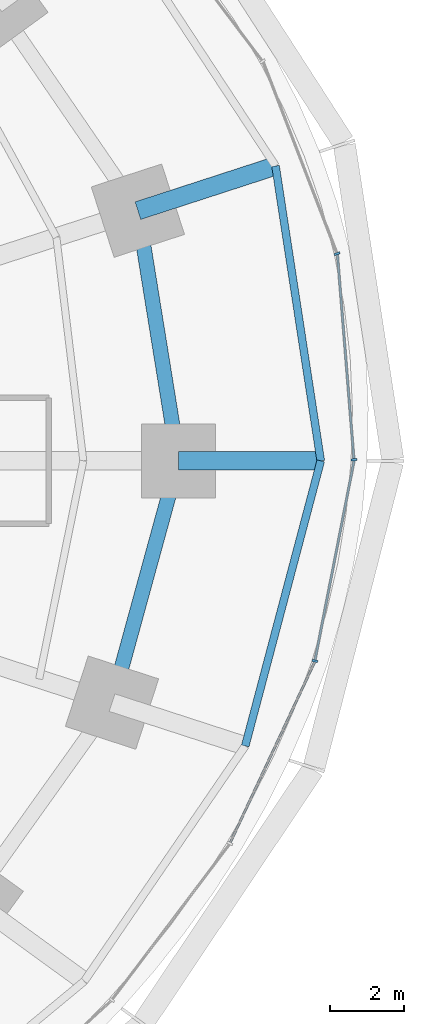
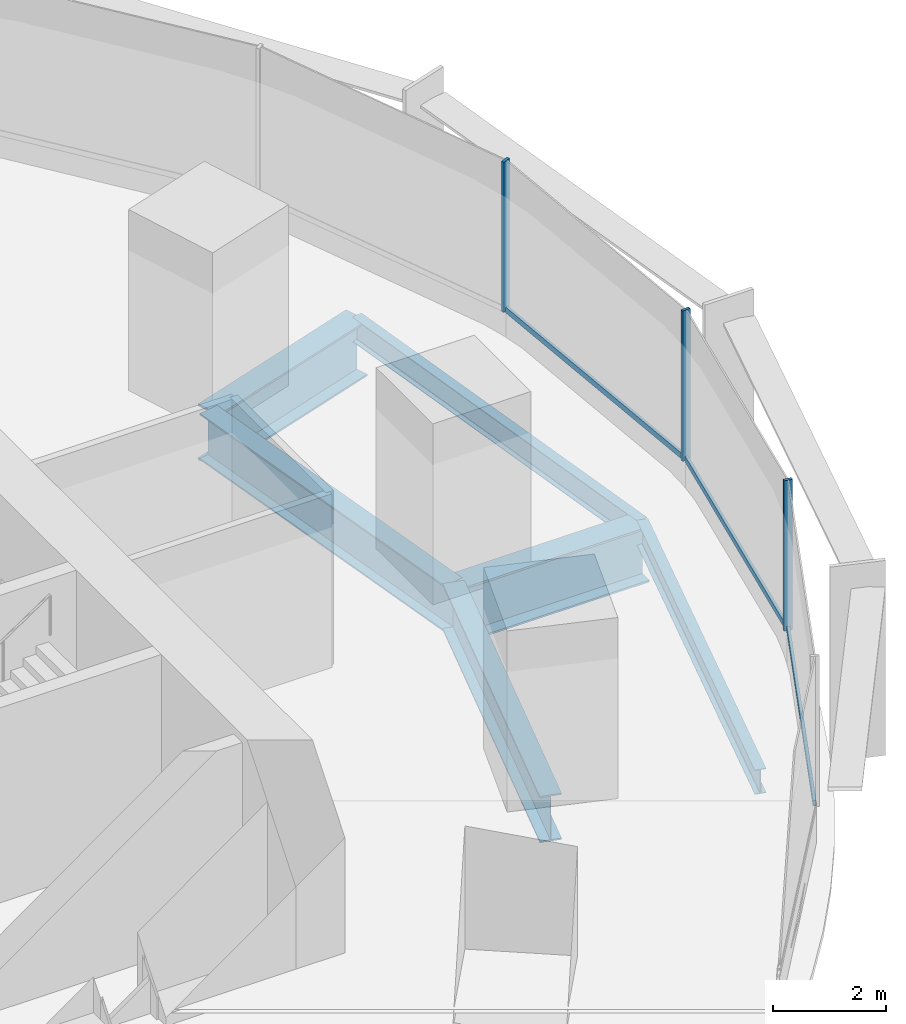
# One storey, part 6 of 15: 6 beams, 6 members, 2 elements without a shape of their own.
"""IFC4 building model written with IfcOpenShell, lengths in metres."""

from ifc_helpers import new_model, si_unit, direction, frame, origin, origin_2d, place, context, subcontext, project, spatial, rectangle, i_section, extrude, material, material_profile, profile_set, type_object, element, aggregate, save


model = new_model("IFC4")

# Units and contexts
model_context = context("Model", 3, precision=1e-05, world=origin(), true_north=direction((0.0, 1.0)))
body_context = subcontext(model_context, "Body", "Model", "MODEL_VIEW")
ifc_project = project(units=[si_unit("LENGTHUNIT", "METRE"), si_unit("AREAUNIT", "SQUARE_METRE"), si_unit("VOLUMEUNIT", "CUBIC_METRE"), si_unit("PLANEANGLEUNIT", "RADIAN"), si_unit("MASSUNIT", "GRAM", prefix="KILO")], contexts=[model_context])

# Site, building, storey
site_placement = place(None, origin())
site = spatial("IfcSite", under=ifc_project, at=site_placement, CompositionType="ELEMENT")
building_placement = place(site_placement, origin())
building = spatial("IfcBuilding", under=site, at=building_placement, Name="Marramba Exchange Tower", CompositionType="ELEMENT")
storey_placement = place(building_placement, frame((0.0, 0.0, 28.0)))
storey = spatial("IfcBuildingStorey", under=building, at=storey_placement, Name="L06", CompositionType="ELEMENT", Elevation=28.0)

# Beams
ifc_material_1 = material(Name="Steel AS/NZS 3679.2 grade 300", Category="steel")
ifc_material_profile_1 = material_profile(ifc_material_1, i_section(OverallWidth=0.5, OverallDepth=1.199951171875, WebThickness=0.01611328125, FlangeThickness=0.0400390625, at=origin_2d()), Name="1200WB455")
ifc_profile_set_1 = profile_set([ifc_material_profile_1], Name="Steel AS/NZS 3679.2 grade 300")
beam_type_1 = type_object("IfcBeamType", Name="Cantilever girder 1200WB455", PredefinedType="BEAM", material=ifc_profile_set_1)
beam_1_placement = place(storey_placement, frame((21.89990234375, 0.0, -0.760009765625), z_axis=(1.0, 0.0, 0.0), x_axis=(0.0, 1.0, 0.0)))
element("IfcBeam", 1, at=beam_1_placement, inside=storey, type_object=beam_type_1, Name="Cantilever girder L06 TC01", PredefinedType="BEAM", context=body_context, shape_type="SweptSolid", body=[
    extrude(i_section(OverallWidth=0.5, OverallDepth=1.199951171875, WebThickness=0.01611328125, FlangeThickness=0.0400390625, at=origin_2d()), origin(), (0.0, 0.0, 1.0), 3.85009765625),
])
beam_2_placement = place(storey_placement, frame((20.808349609375, 6.760986328125, -0.760009765625), z_axis=(0.951058833549, 0.309009862508, 0.0), x_axis=(-0.309009862508, 0.951058833549, 0.0)))
element("IfcBeam", 2, at=beam_2_placement, inside=storey, type_object=beam_type_1, Name="Cantilever girder L06 TC02", PredefinedType="BEAM", context=body_context, shape_type="SweptSolid", body=[
    extrude(i_section(OverallWidth=0.5, OverallDepth=1.199951171875, WebThickness=0.01611328125, FlangeThickness=0.0400390625, at=origin_2d()), origin(), (0.0, 0.0, 1.0), 3.91162109375),
])
ifc_material_profile_2 = material_profile(ifc_material_1, i_section(OverallWidth=0.39990234375, OverallDepth=1.0, WebThickness=0.01611328125, FlangeThickness=0.031982421875, at=origin_2d()), Name="1000WB322")
ifc_profile_set_2 = profile_set([ifc_material_profile_2], Name="Steel AS/NZS 3679.2 grade 300")
beam_type_2 = type_object("IfcBeamType", Name="Ring beam 1000WB322", PredefinedType="SPANDREL", material=ifc_profile_set_2)
beam_3_placement = place(storey_placement, frame((21.89990234375, 0.0, -0.659912109375), z_axis=(-0.159384865399, 0.987216523708, 0.0), x_axis=(-0.987216523708, -0.159384865399, 0.0)))
element("IfcBeam", 3, at=beam_3_placement, inside=storey, type_object=beam_type_2, Name="Ring beam L06 TC01-TC02", PredefinedType="SPANDREL", context=body_context, shape_type="SweptSolid", body=[
    extrude(i_section(OverallWidth=0.39990234375, OverallDepth=1.0, WebThickness=0.01611328125, FlangeThickness=0.031982421875, at=origin_2d()), origin(), (0.0, 0.0, 1.0), 6.8486328125),
])
beam_4_placement = place(storey_placement, frame((20.109375, -6.533935546875, -0.659912109375), z_axis=(0.264291166956, 0.964442937176, 0.0), x_axis=(-0.964442937176, 0.264291166956, 0.0)))
element("IfcBeam", 4, at=beam_4_placement, inside=storey, type_object=beam_type_2, Name="Ring beam L06 TC20-TC01", PredefinedType="SPANDREL", context=body_context, shape_type="SweptSolid", body=[
    extrude(i_section(OverallWidth=0.39990234375, OverallDepth=1.0, WebThickness=0.01611328125, FlangeThickness=0.031982421875, at=origin_2d()), origin(), (0.0, 0.0, 1.0), 6.77490234375),
])
ifc_material_2 = material(Name="Steel AS/NZS 3679.1 grade 300", Category="steel")
ifc_material_profile_3 = material_profile(ifc_material_2, i_section(OverallWidth=0.208984375, OverallDepth=0.528076171875, WebThickness=0.009521484375, FlangeThickness=0.01318359375, FilletRadius=0.013916015625, at=origin_2d()), Name="530UB82.0")
ifc_profile_set_3 = profile_set([ifc_material_profile_3], Name="Steel AS/NZS 3679.1 grade 300")
beam_type_3 = type_object("IfcBeamType", Name="Slab edge beam 530UB82.0", PredefinedType="SPANDREL", material=ifc_profile_set_3)
beam_5_placement = place(storey_placement, frame((25.75, 0.0, -0.424072265625), z_axis=(-0.151490591645, 0.988458699513, 0.0), x_axis=(-0.988458699513, -0.151490591645, 0.0)))
element("IfcBeam", 5, at=beam_5_placement, inside=storey, type_object=beam_type_3, Name="Slab edge beam L06 TC01-TC02", PredefinedType="SPANDREL", context=body_context, shape_type="SweptSolid", body=[
    extrude(i_section(OverallWidth=0.208984375, OverallDepth=0.528076171875, WebThickness=0.009521484375, FlangeThickness=0.01318359375, FilletRadius=0.013916015625, at=origin_2d()), origin(), (0.0, 0.0, 1.0), 8.062744140625),
])
beam_6_placement = place(storey_placement, frame((23.709716796875, -7.703857421875, -0.424072265625), z_axis=(0.25601296674, 0.966673347549, 0.0), x_axis=(-0.966673347549, 0.25601296674, 0.0)))
element("IfcBeam", 6, at=beam_6_placement, inside=storey, type_object=beam_type_3, Name="Slab edge beam L06 TC20-TC01", PredefinedType="SPANDREL", context=body_context, shape_type="SweptSolid", body=[
    extrude(i_section(OverallWidth=0.208984375, OverallDepth=0.528076171875, WebThickness=0.009521484375, FlangeThickness=0.01318359375, FilletRadius=0.013916015625, at=origin_2d()), origin(), (0.0, 0.0, 1.0), 7.969482421875),
])

# Curtain wall, members
ifc_material_3 = material(Name="Aluminium framing, bronze anodised", Category="aluminium")
curtain_wall_type = type_object("IfcCurtainWallType", Name="Trading floor ribbon curtain wall", PredefinedType="USERDEFINED", material=ifc_material_3)
curtain_wall_1_placement = place(storey_placement, origin())
curtain_wall_1 = element("IfcCurtainWall", 7, at=curtain_wall_1_placement, inside=storey, type_object=curtain_wall_type, Name="Curtain wall CW3 L06 F01-F05", ObjectType="RIBBON CURTAIN WALL", PredefinedType="USERDEFINED")
ifc_material_4 = material(Name="Aluminium mullion, bronze anodised", Category="aluminium")
ifc_material_profile_4 = material_profile(ifc_material_4, rectangle(XDim=0.159912109375, YDim=0.06005859375, at=origin_2d()), Name="CW3 mullion 60x160")
ifc_profile_set_4 = profile_set([ifc_material_profile_4], Name="Aluminium mullion, bronze anodised")
member_type_1 = type_object("IfcMemberType", Name="Trading floor ribbon curtain wall mullion", PredefinedType="MULLION", material=ifc_profile_set_4)
member_1_placement = place(storey_placement, frame((26.647705078125, 0.02978515625, 0.800048828125), z_axis=(0.0, 0.0, 1.0), x_axis=(-0.996772736434, -0.080275225953, 0.0)))
member_1 = element("IfcMember", 8, at=member_1_placement, type_object=member_type_1, Name="CW3 mullion 1", PredefinedType="MULLION", context=body_context, shape_type="SweptSolid", body=[
    extrude(rectangle(XDim=0.159912109375, YDim=0.06005859375, at=origin_2d()), origin(), (0.0, 0.0, 1.0), 3.239990234375),
])
member_2_placement = place(storey_placement, frame((26.190673828125, 5.597412109375, 0.800048828125), z_axis=(0.0, 0.0, 1.0), x_axis=(-0.933135256626, -0.359525510698, 0.0)))
member_2 = element("IfcMember", 9, at=member_2_placement, type_object=member_type_1, Name="CW3 mullion 1", PredefinedType="MULLION", context=body_context, shape_type="SweptSolid", body=[
    extrude(rectangle(XDim=0.159912109375, YDim=0.06005859375, at=origin_2d()), origin(), (0.0, 0.0, 1.0), 3.239990234375),
])

# Curtain wall, member
curtain_wall_2_placement = place(storey_placement, origin())
curtain_wall_2 = element("IfcCurtainWall", 10, at=curtain_wall_2_placement, inside=storey, type_object=curtain_wall_type, Name="Curtain wall CW3 L06 F26-F30", ObjectType="RIBBON CURTAIN WALL", PredefinedType="USERDEFINED")
member_3_placement = place(storey_placement, frame((25.59033203125, -5.40869140625, 0.800048828125), z_axis=(0.0, 0.0, 1.0), x_axis=(-0.981346261612, 0.1922485756, 0.0)))
member_3 = element("IfcMember", 11, at=member_3_placement, type_object=member_type_1, Name="CW3 mullion 1", PredefinedType="MULLION", context=body_context, shape_type="SweptSolid", body=[
    extrude(rectangle(XDim=0.159912109375, YDim=0.06005859375, at=origin_2d()), origin(), (0.0, 0.0, 1.0), 3.239990234375),
])

# Member
ifc_material_5 = material(Name="Aluminium transom, bronze anodised", Category="aluminium")
ifc_material_profile_5 = material_profile(ifc_material_5, rectangle(XDim=0.06005859375, YDim=0.1201171875, at=origin_2d()), Name="CW3 transom 60x120")
ifc_profile_set_5 = profile_set([ifc_material_profile_5], Name="Aluminium transom, bronze anodised")
member_type_2 = type_object("IfcMemberType", Name="Trading floor ribbon curtain wall transom", PredefinedType="USERDEFINED", material=ifc_profile_set_5)
member_4_placement = place(storey_placement, frame((26.645263671875, 0.059814453125, 0.830078125), z_axis=(-0.080299960686, 0.99677074411, 0.0), x_axis=(-0.99677074411, -0.080299960686, 0.0)))
member_4 = element("IfcMember", 12, at=member_4_placement, type_object=member_type_2, Name="CW3 sill transom", ObjectType="TRANSOM", PredefinedType="USERDEFINED", context=body_context, shape_type="SweptSolid", body=[
    extrude(rectangle(XDim=0.06005859375, YDim=0.1201171875, at=origin_2d()), origin(), (0.0, 0.0, 1.0), 5.52734375),
])

aggregate(curtain_wall_1, [member_1, member_4, member_2])

member_5_placement = place(storey_placement, frame((23.306640625, -10.31103515625, 0.830078125), z_axis=(0.423511514213, 0.905890720412, 0.0), x_axis=(-0.905890720412, 0.423511514213, 0.0)))
member_5 = element("IfcMember", 13, at=member_5_placement, type_object=member_type_2, Name="CW3 sill transom", ObjectType="TRANSOM", PredefinedType="USERDEFINED", context=body_context, shape_type="SweptSolid", body=[
    extrude(rectangle(XDim=0.06005859375, YDim=0.1201171875, at=origin_2d()), origin(), (0.0, 0.0, 1.0), 5.37890625),
])

member_6_placement = place(storey_placement, frame((25.59619140625, -5.37939453125, 0.830078125), z_axis=(0.192226081646, 0.981350667975, 0.0), x_axis=(-0.981350667975, 0.192226081646, 0.0)))
member_6 = element("IfcMember", 14, at=member_6_placement, type_object=member_type_2, Name="CW3 sill transom", ObjectType="TRANSOM", PredefinedType="USERDEFINED", context=body_context, shape_type="SweptSolid", body=[
    extrude(rectangle(XDim=0.06005859375, YDim=0.1201171875, at=origin_2d()), origin(), (0.0, 0.0, 1.0), 5.481689453125),
])

aggregate(curtain_wall_2, [member_5, member_3, member_6])

save(model, "model.ifc")
